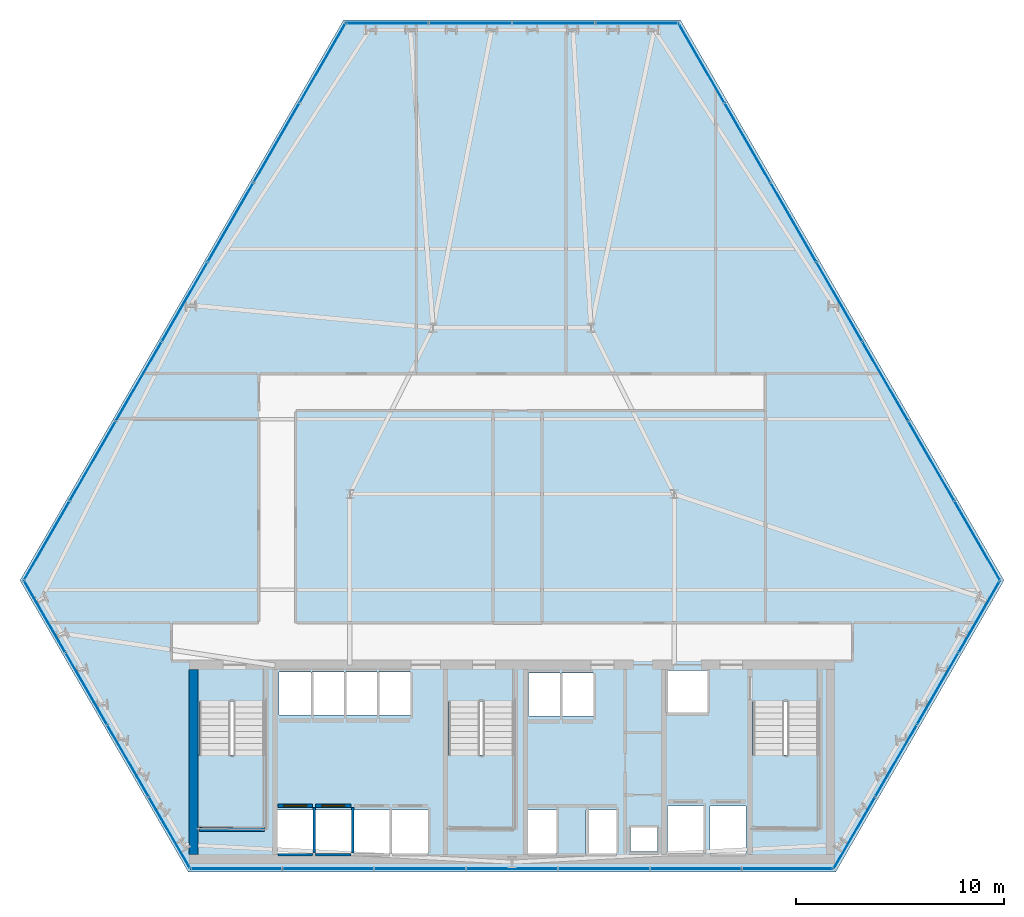
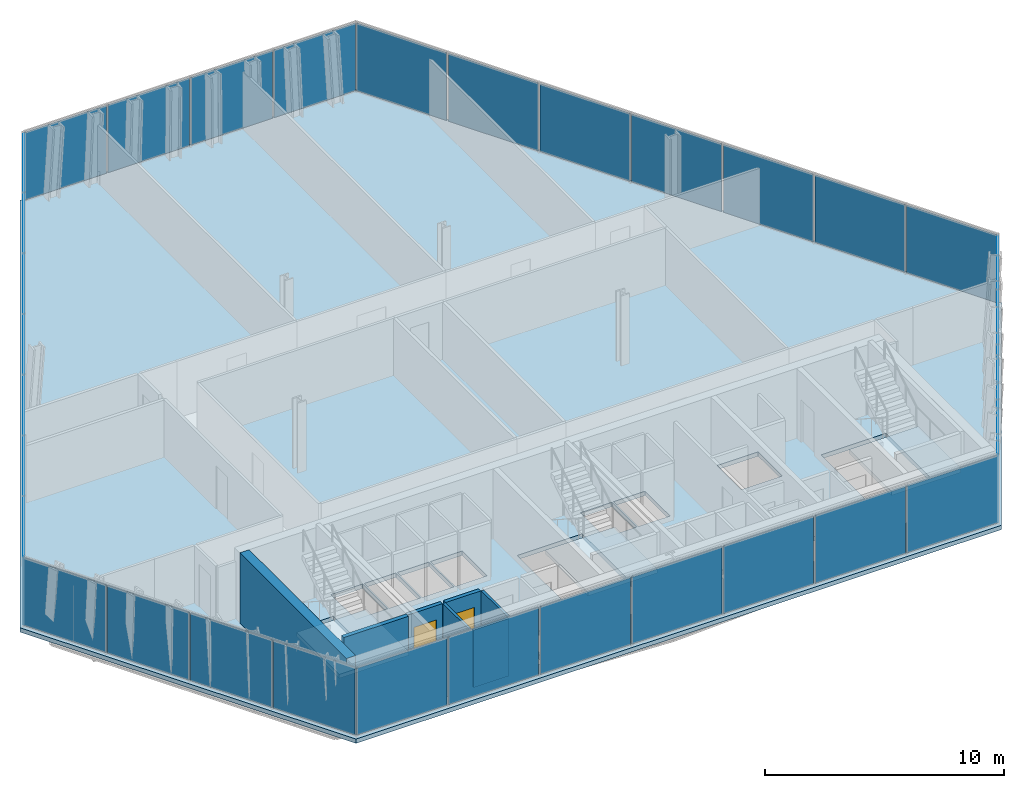
# One storey, part 26 of 32: 33 plates, 8 walls, 4 slabs, 2 doors, 2 openings, 9 elements without a shape of their own.
"""IFC4 building model written with IfcOpenShell, lengths in metres."""

from ifc_helpers import new_model, si_unit, direction, frame, frame_2d, origin, origin_2d, place, context, subcontext, project, spatial, polyline, rectangle, outline, extrude, material, layer, layer_set, type_object, element, fill, aggregate, save


model = new_model("IFC4")

# Units and contexts
model_context = context("Model", 3, precision=1e-05, world=origin(), true_north=direction((0.0, 1.0)))
body_context = subcontext(model_context, "Body", "Model", "MODEL_VIEW")
ifc_project = project(units=[si_unit("LENGTHUNIT", "METRE"), si_unit("AREAUNIT", "SQUARE_METRE"), si_unit("VOLUMEUNIT", "CUBIC_METRE"), si_unit("PLANEANGLEUNIT", "RADIAN"), si_unit("MASSUNIT", "GRAM", prefix="KILO")], contexts=[model_context])

# Site, building, storey
site_placement = place(None, origin())
site = spatial("IfcSite", under=ifc_project, at=site_placement, CompositionType="ELEMENT")
building_placement = place(site_placement, origin())
building = spatial("IfcBuilding", under=site, at=building_placement, Name="Ndaravel Arena Tower", CompositionType="ELEMENT")
storey_placement = place(building_placement, frame((0.0, 0.0, 55.0)))
storey = spatial("IfcBuildingStorey", under=building, at=storey_placement, Name="L11", CompositionType="ELEMENT", Elevation=55.0)

# Curtain wall, plate
ifc_material_1 = material(Name="Aluminium", Category="aluminium")
ifc_layer_1 = layer(ifc_material_1, 0.179931640625)
ifc_layer_set_1 = layer_set([ifc_layer_1], Name="Aluminium")
curtain_wall_type_1 = type_object("IfcCurtainWallType", Name="CW-SYS-01", PredefinedType="NOTDEFINED", material=ifc_layer_set_1)
curtain_wall_1_placement = place(storey_placement, origin())
curtain_wall_1 = element("IfcCurtainWall", 1, at=curtain_wall_1_placement, inside=storey, type_object=curtain_wall_type_1, Name="L11 Faceted Crystal Curtain Wall CW-L11-E02", PredefinedType="NOTDEFINED")
ifc_material_2 = material(Name="Glazing", Category="glass")
ifc_layer_2 = layer(ifc_material_2, 0.035888671875)
ifc_layer_set_2 = layer_set([ifc_layer_2], Name="Glazing")
plate_type_1 = type_object("IfcPlateType", Name="PLT-CW-OPVENT", PredefinedType="CURTAIN_PANEL", material=ifc_layer_set_2)
plate_1_placement = place(storey_placement, frame((60.48486328125, 10.36474609375, 0.06005859375), z_axis=(0.0, 0.0, 1.0), x_axis=(0.5, 0.866025403784, 0.0)))
plate_1 = element("IfcPlate", 2, at=plate_1_placement, type_object=plate_type_1, Name="CW-L11-E02 Operable Vent Sash Panel 02", PredefinedType="CURTAIN_PANEL", context=body_context, shape_type="SweptSolid", body=[
    extrude(rectangle(XDim=3.9267578125, YDim=0.035888671875, at=origin_2d()), origin(), (0.0, 0.0, 1.0), 3.4599609375),
])

curtain_wall_2_placement = place(storey_placement, origin())
curtain_wall_2 = element("IfcCurtainWall", 3, at=curtain_wall_2_placement, inside=storey, type_object=curtain_wall_type_1, Name="L11 Faceted Crystal Curtain Wall CW-L11-E04", PredefinedType="NOTDEFINED")
plate_2_placement = place(storey_placement, frame((44.00341796875, 45.851318359375, 0.06005859375), z_axis=(0.0, 0.0, 1.0), x_axis=(-1.0, 0.0, 0.0)))
plate_2 = element("IfcPlate", 4, at=plate_2_placement, type_object=plate_type_1, Name="CW-L11-E04 Operable Vent Sash Panel 02", PredefinedType="CURTAIN_PANEL", context=body_context, shape_type="SweptSolid", body=[
    extrude(rectangle(XDim=3.9267578125, YDim=0.035888671875, at=origin_2d()), origin(), (0.0, 0.0, 1.0), 3.4599609375),
])

ifc_material_3 = material(Name="Aluminium", Category="aluminium")
ifc_layer_3 = layer(ifc_material_3, 0.179931640625)
ifc_layer_set_3 = layer_set([ifc_layer_3], Name="Aluminium")
curtain_wall_type_2 = type_object("IfcCurtainWallType", Name="CW-SYS-02", PredefinedType="NOTDEFINED", material=ifc_layer_set_3)
curtain_wall_3_placement = place(storey_placement, origin())
curtain_wall_3 = element("IfcCurtainWall", 5, at=curtain_wall_3_placement, inside=storey, type_object=curtain_wall_type_2, Name="L11 Faceted Crystal Curtain Wall CW-L11-E06", PredefinedType="NOTDEFINED")
plate_3_placement = place(storey_placement, frame((21.51171875, 13.834716796875, 0.06005859375), z_axis=(0.0, 0.0, 1.0), x_axis=(0.5, -0.866025403784, 0.0)))
plate_3 = element("IfcPlate", 6, at=plate_3_placement, type_object=plate_type_1, Name="CW-L11-E06 Operable Vent Sash Panel 02", PredefinedType="CURTAIN_PANEL", context=body_context, shape_type="SweptSolid", body=[
    extrude(rectangle(XDim=3.9267578125, YDim=0.035888671875, at=origin_2d()), origin(), (0.0, 0.0, 1.0), 3.4599609375),
])

# Plate
ifc_material_4 = material(Name="Glazing", Category="glass")
ifc_layer_4 = layer(ifc_material_4, 0.031982421875)
ifc_layer_set_4 = layer_set([ifc_layer_4], Name="Glazing")
plate_type_2 = type_object("IfcPlateType", Name="PLT-GLZ-FRIT35", PredefinedType="CURTAIN_PANEL", material=ifc_layer_set_4)
plate_4_placement = place(storey_placement, frame((58.481689453125, 6.89501953125, 0.06005859375), z_axis=(0.0, 0.0, 1.0), x_axis=(0.5, 0.866025403784, 0.0)))
plate_4 = element("IfcPlate", 7, at=plate_4_placement, type_object=plate_type_2, Name="CW-L11-E02 Vision Glass Panel 01", PredefinedType="CURTAIN_PANEL", context=body_context, shape_type="SweptSolid", body=[
    extrude(rectangle(XDim=3.9267578125, YDim=0.035888671875, at=origin_2d()), origin(), (0.0, 0.0, 1.0), 3.4599609375),
])

plate_5_placement = place(storey_placement, frame((62.48828125, 13.834716796875, 0.06005859375), z_axis=(0.0, 0.0, 1.0), x_axis=(0.5, 0.866025403784, 0.0)))
plate_5 = element("IfcPlate", 8, at=plate_5_placement, type_object=plate_type_2, Name="CW-L11-E02 Vision Glass Panel 03", PredefinedType="CURTAIN_PANEL", context=body_context, shape_type="SweptSolid", body=[
    extrude(rectangle(XDim=3.9267578125, YDim=0.035888671875, at=origin_2d()), origin(), (0.0, 0.0, 1.0), 3.4599609375),
])

plate_6_placement = place(storey_placement, frame((64.491455078125, 17.3046875, 0.06005859375), z_axis=(0.0, 0.0, 1.0), x_axis=(0.5, 0.866025403784, 0.0)))
plate_6 = element("IfcPlate", 9, at=plate_6_placement, type_object=plate_type_2, Name="CW-L11-E02 Vision Glass Panel 04", PredefinedType="CURTAIN_PANEL", context=body_context, shape_type="SweptSolid", body=[
    extrude(rectangle(XDim=3.9267578125, YDim=0.035888671875, at=origin_2d()), origin(), (0.0, 0.0, 1.0), 3.4599609375),
])

aggregate(curtain_wall_1, [plate_4, plate_1, plate_5, plate_6])

plate_7_placement = place(storey_placement, frame((48.010009765625, 45.851318359375, 0.06005859375), z_axis=(0.0, 0.0, 1.0), x_axis=(-1.0, 0.0, 0.0)))
plate_7 = element("IfcPlate", 10, at=plate_7_placement, type_object=plate_type_2, Name="CW-L11-E04 Vision Glass Panel 01", PredefinedType="CURTAIN_PANEL", context=body_context, shape_type="SweptSolid", body=[
    extrude(rectangle(XDim=3.9267578125, YDim=0.035888671875, at=origin_2d()), origin(), (0.0, 0.0, 1.0), 3.4599609375),
])

plate_8_placement = place(storey_placement, frame((39.99658203125, 45.851318359375, 0.06005859375), z_axis=(0.0, 0.0, 1.0), x_axis=(-1.0, 0.0, 0.0)))
plate_8 = element("IfcPlate", 11, at=plate_8_placement, type_object=plate_type_2, Name="CW-L11-E04 Vision Glass Panel 03", PredefinedType="CURTAIN_PANEL", context=body_context, shape_type="SweptSolid", body=[
    extrude(rectangle(XDim=3.9267578125, YDim=0.035888671875, at=origin_2d()), origin(), (0.0, 0.0, 1.0), 3.4599609375),
])

plate_9_placement = place(storey_placement, frame((35.989990234375, 45.851318359375, 0.06005859375), z_axis=(0.0, 0.0, 1.0), x_axis=(-1.0, 0.0, 0.0)))
plate_9 = element("IfcPlate", 12, at=plate_9_placement, type_object=plate_type_2, Name="CW-L11-E04 Vision Glass Panel 04", PredefinedType="CURTAIN_PANEL", context=body_context, shape_type="SweptSolid", body=[
    extrude(rectangle(XDim=3.9267578125, YDim=0.035888671875, at=origin_2d()), origin(), (0.0, 0.0, 1.0), 3.4599609375),
])

aggregate(curtain_wall_2, [plate_7, plate_2, plate_8, plate_9])

ifc_material_5 = material(Name="Glazing", Category="glass")
ifc_layer_5 = layer(ifc_material_5, 0.035888671875)
ifc_layer_set_5 = layer_set([ifc_layer_5], Name="Glazing")
plate_type_3 = type_object("IfcPlateType", Name="PLT-GLZ-FRIT55", PredefinedType="CURTAIN_PANEL", material=ifc_layer_set_5)
plate_10_placement = place(storey_placement, frame((19.508544921875, 17.3046875, 0.06005859375), z_axis=(0.0, 0.0, 1.0), x_axis=(0.5, -0.866025403784, 0.0)))
plate_10 = element("IfcPlate", 13, at=plate_10_placement, type_object=plate_type_3, Name="CW-L11-E06 Vision Glass Panel 01", PredefinedType="CURTAIN_PANEL", context=body_context, shape_type="SweptSolid", body=[
    extrude(rectangle(XDim=3.9267578125, YDim=0.035888671875, at=origin_2d()), origin(), (0.0, 0.0, 1.0), 3.4599609375),
])

plate_11_placement = place(storey_placement, frame((23.51513671875, 10.36474609375, 0.06005859375), z_axis=(0.0, 0.0, 1.0), x_axis=(0.5, -0.866025403784, 0.0)))
plate_11 = element("IfcPlate", 14, at=plate_11_placement, type_object=plate_type_3, Name="CW-L11-E06 Vision Glass Panel 03", PredefinedType="CURTAIN_PANEL", context=body_context, shape_type="SweptSolid", body=[
    extrude(rectangle(XDim=3.9267578125, YDim=0.035888671875, at=origin_2d()), origin(), (0.0, 0.0, 1.0), 3.4599609375),
])

plate_12_placement = place(storey_placement, frame((25.518310546875, 6.89501953125, 0.06005859375), z_axis=(0.0, 0.0, 1.0), x_axis=(0.5, -0.866025403784, 0.0)))
plate_12 = element("IfcPlate", 15, at=plate_12_placement, type_object=plate_type_3, Name="CW-L11-E06 Vision Glass Panel 04", PredefinedType="CURTAIN_PANEL", context=body_context, shape_type="SweptSolid", body=[
    extrude(rectangle(XDim=3.9267578125, YDim=0.035888671875, at=origin_2d()), origin(), (0.0, 0.0, 1.0), 3.4599609375),
])

aggregate(curtain_wall_3, [plate_10, plate_3, plate_11, plate_12])

# Curtain wall, plates
ifc_material_6 = material(Name="Aluminium", Category="aluminium")
ifc_layer_6 = layer(ifc_material_6, 0.179931640625)
ifc_layer_set_6 = layer_set([ifc_layer_6], Name="Aluminium")
curtain_wall_type_3 = type_object("IfcCurtainWallType", Name="CW-SYS-03", PredefinedType="NOTDEFINED", material=ifc_layer_set_6)
curtain_wall_4_placement = place(storey_placement, origin())
curtain_wall_4 = element("IfcCurtainWall", 16, at=curtain_wall_4_placement, inside=storey, type_object=curtain_wall_type_3, Name="L11 Faceted Crystal Curtain Wall CW-L11-E01", PredefinedType="NOTDEFINED")
ifc_material_7 = material(Name="Glazing", Category="glass")
ifc_layer_7 = layer(ifc_material_7, 0.0400390625)
ifc_layer_set_7 = layer_set([ifc_layer_7], Name="Glazing")
plate_type_4 = type_object("IfcPlateType", Name="PLT-GLZ-LOWIRON", PredefinedType="CURTAIN_PANEL", material=ifc_layer_set_7)
plate_13_placement = place(storey_placement, frame((28.7314453125, 5.159912109375, 0.06005859375), z_axis=(0.0, 0.0, 1.0), x_axis=(1.0, 0.0, 0.0)))
plate_13 = element("IfcPlate", 17, at=plate_13_placement, type_object=plate_type_4, Name="CW-L11-E01 Vision Glass Panel 01", PredefinedType="CURTAIN_PANEL", context=body_context, shape_type="SweptSolid", body=[
    extrude(rectangle(XDim=4.3427734375, YDim=0.035888671875, at=origin_2d()), origin(), (0.0, 0.0, 1.0), 3.4599609375),
])
plate_14_placement = place(storey_placement, frame((33.154296875, 5.159912109375, 0.06005859375), z_axis=(0.0, 0.0, 1.0), x_axis=(1.0, 0.0, 0.0)))
plate_14 = element("IfcPlate", 18, at=plate_14_placement, type_object=plate_type_4, Name="CW-L11-E01 Vision Glass Panel 02", PredefinedType="CURTAIN_PANEL", context=body_context, shape_type="SweptSolid", body=[
    extrude(rectangle(XDim=4.3427734375, YDim=0.035888671875, at=origin_2d()), origin(), (0.0, 0.0, 1.0), 3.4599609375),
])
plate_15_placement = place(storey_placement, frame((37.5771484375, 5.159912109375, 0.06005859375), z_axis=(0.0, 0.0, 1.0), x_axis=(1.0, 0.0, 0.0)))
plate_15 = element("IfcPlate", 19, at=plate_15_placement, type_object=plate_type_4, Name="CW-L11-E01 Vision Glass Panel 03", PredefinedType="CURTAIN_PANEL", context=body_context, shape_type="SweptSolid", body=[
    extrude(rectangle(XDim=4.3427734375, YDim=0.035888671875, at=origin_2d()), origin(), (0.0, 0.0, 1.0), 3.4599609375),
])
plate_16_placement = place(storey_placement, frame((42.0, 5.159912109375, 0.06005859375), z_axis=(0.0, 0.0, 1.0), x_axis=(1.0, 0.0, 0.0)))
plate_16 = element("IfcPlate", 20, at=plate_16_placement, type_object=plate_type_4, Name="CW-L11-E01 Vision Glass Panel 04", PredefinedType="CURTAIN_PANEL", context=body_context, shape_type="SweptSolid", body=[
    extrude(rectangle(XDim=4.3427734375, YDim=0.035888671875, at=origin_2d()), origin(), (0.0, 0.0, 1.0), 3.4599609375),
])
plate_17_placement = place(storey_placement, frame((46.4228515625, 5.159912109375, 0.06005859375), z_axis=(0.0, 0.0, 1.0), x_axis=(1.0, 0.0, 0.0)))
plate_17 = element("IfcPlate", 21, at=plate_17_placement, type_object=plate_type_4, Name="CW-L11-E01 Vision Glass Panel 05", PredefinedType="CURTAIN_PANEL", context=body_context, shape_type="SweptSolid", body=[
    extrude(rectangle(XDim=4.3427734375, YDim=0.035888671875, at=origin_2d()), origin(), (0.0, 0.0, 1.0), 3.4599609375),
])
plate_18_placement = place(storey_placement, frame((50.845703125, 5.159912109375, 0.06005859375), z_axis=(0.0, 0.0, 1.0), x_axis=(1.0, 0.0, 0.0)))
plate_18 = element("IfcPlate", 22, at=plate_18_placement, type_object=plate_type_4, Name="CW-L11-E01 Vision Glass Panel 06", PredefinedType="CURTAIN_PANEL", context=body_context, shape_type="SweptSolid", body=[
    extrude(rectangle(XDim=4.3427734375, YDim=0.035888671875, at=origin_2d()), origin(), (0.0, 0.0, 1.0), 3.4599609375),
])
plate_19_placement = place(storey_placement, frame((55.2685546875, 5.159912109375, 0.06005859375), z_axis=(0.0, 0.0, 1.0), x_axis=(1.0, 0.0, 0.0)))
plate_19 = element("IfcPlate", 23, at=plate_19_placement, type_object=plate_type_4, Name="CW-L11-E01 Vision Glass Panel 07", PredefinedType="CURTAIN_PANEL", context=body_context, shape_type="SweptSolid", body=[
    extrude(rectangle(XDim=4.3427734375, YDim=0.035888671875, at=origin_2d()), origin(), (0.0, 0.0, 1.0), 3.4599609375),
])
aggregate(curtain_wall_4, [plate_13, plate_14, plate_15, plate_16, plate_17, plate_18, plate_19])

curtain_wall_5_placement = place(storey_placement, origin())
curtain_wall_5 = element("IfcCurtainWall", 24, at=curtain_wall_5_placement, inside=storey, type_object=curtain_wall_type_3, Name="L11 Faceted Crystal Curtain Wall CW-L11-E03", PredefinedType="NOTDEFINED")
plate_20_placement = place(storey_placement, frame((64.387451171875, 20.95458984375, 0.06005859375), z_axis=(0.0, 0.0, 1.0), x_axis=(-0.5, 0.866025403784, 0.0)))
plate_20 = element("IfcPlate", 25, at=plate_20_placement, type_object=plate_type_4, Name="CW-L11-E03 Vision Glass Panel 01", PredefinedType="CURTAIN_PANEL", context=body_context, shape_type="SweptSolid", body=[
    extrude(rectangle(XDim=4.3427734375, YDim=0.035888671875, at=origin_2d()), origin(), (0.0, 0.0, 1.0), 3.4599609375),
])
plate_21_placement = place(storey_placement, frame((62.176025390625, 24.784912109375, 0.06005859375), z_axis=(0.0, 0.0, 1.0), x_axis=(-0.5, 0.866025403784, 0.0)))
plate_21 = element("IfcPlate", 26, at=plate_21_placement, type_object=plate_type_4, Name="CW-L11-E03 Vision Glass Panel 02", PredefinedType="CURTAIN_PANEL", context=body_context, shape_type="SweptSolid", body=[
    extrude(rectangle(XDim=4.3427734375, YDim=0.035888671875, at=origin_2d()), origin(), (0.0, 0.0, 1.0), 3.4599609375),
])
plate_22_placement = place(storey_placement, frame((59.964599609375, 28.615234375, 0.06005859375), z_axis=(0.0, 0.0, 1.0), x_axis=(-0.5, 0.866025403784, 0.0)))
plate_22 = element("IfcPlate", 27, at=plate_22_placement, type_object=plate_type_4, Name="CW-L11-E03 Vision Glass Panel 03", PredefinedType="CURTAIN_PANEL", context=body_context, shape_type="SweptSolid", body=[
    extrude(rectangle(XDim=4.3427734375, YDim=0.035888671875, at=origin_2d()), origin(), (0.0, 0.0, 1.0), 3.4599609375),
])
plate_23_placement = place(storey_placement, frame((57.75341796875, 32.445556640625, 0.06005859375), z_axis=(0.0, 0.0, 1.0), x_axis=(-0.5, 0.866025403784, 0.0)))
plate_23 = element("IfcPlate", 28, at=plate_23_placement, type_object=plate_type_4, Name="CW-L11-E03 Vision Glass Panel 04", PredefinedType="CURTAIN_PANEL", context=body_context, shape_type="SweptSolid", body=[
    extrude(rectangle(XDim=4.3427734375, YDim=0.035888671875, at=origin_2d()), origin(), (0.0, 0.0, 1.0), 3.4599609375),
])
plate_24_placement = place(storey_placement, frame((55.541748046875, 36.275634765625, 0.06005859375), z_axis=(0.0, 0.0, 1.0), x_axis=(-0.5, 0.866025403784, 0.0)))
plate_24 = element("IfcPlate", 29, at=plate_24_placement, type_object=plate_type_4, Name="CW-L11-E03 Vision Glass Panel 05", PredefinedType="CURTAIN_PANEL", context=body_context, shape_type="SweptSolid", body=[
    extrude(rectangle(XDim=4.3427734375, YDim=0.035888671875, at=origin_2d()), origin(), (0.0, 0.0, 1.0), 3.4599609375),
])
plate_25_placement = place(storey_placement, frame((53.330322265625, 40.10595703125, 0.06005859375), z_axis=(0.0, 0.0, 1.0), x_axis=(-0.5, 0.866025403784, 0.0)))
plate_25 = element("IfcPlate", 30, at=plate_25_placement, type_object=plate_type_4, Name="CW-L11-E03 Vision Glass Panel 06", PredefinedType="CURTAIN_PANEL", context=body_context, shape_type="SweptSolid", body=[
    extrude(rectangle(XDim=4.3427734375, YDim=0.035888671875, at=origin_2d()), origin(), (0.0, 0.0, 1.0), 3.4599609375),
])
plate_26_placement = place(storey_placement, frame((51.118896484375, 43.936279296875, 0.06005859375), z_axis=(0.0, 0.0, 1.0), x_axis=(-0.5, 0.866025403784, 0.0)))
plate_26 = element("IfcPlate", 31, at=plate_26_placement, type_object=plate_type_4, Name="CW-L11-E03 Vision Glass Panel 07", PredefinedType="CURTAIN_PANEL", context=body_context, shape_type="SweptSolid", body=[
    extrude(rectangle(XDim=4.3427734375, YDim=0.035888671875, at=origin_2d()), origin(), (0.0, 0.0, 1.0), 3.4599609375),
])
aggregate(curtain_wall_5, [plate_20, plate_21, plate_22, plate_23, plate_24, plate_25, plate_26])

curtain_wall_6_placement = place(storey_placement, origin())
curtain_wall_6 = element("IfcCurtainWall", 32, at=curtain_wall_6_placement, inside=storey, type_object=curtain_wall_type_3, Name="L11 Faceted Crystal Curtain Wall CW-L11-E05", PredefinedType="NOTDEFINED")
plate_27_placement = place(storey_placement, frame((32.881103515625, 43.936279296875, 0.06005859375), z_axis=(0.0, 0.0, 1.0), x_axis=(-0.5, -0.866025403784, 0.0)))
plate_27 = element("IfcPlate", 33, at=plate_27_placement, type_object=plate_type_4, Name="CW-L11-E05 Vision Glass Panel 01", PredefinedType="CURTAIN_PANEL", context=body_context, shape_type="SweptSolid", body=[
    extrude(rectangle(XDim=4.3427734375, YDim=0.035888671875, at=origin_2d()), origin(), (0.0, 0.0, 1.0), 3.4599609375),
])
plate_28_placement = place(storey_placement, frame((30.669677734375, 40.10595703125, 0.06005859375), z_axis=(0.0, 0.0, 1.0), x_axis=(-0.5, -0.866025403784, 0.0)))
plate_28 = element("IfcPlate", 34, at=plate_28_placement, type_object=plate_type_4, Name="CW-L11-E05 Vision Glass Panel 02", PredefinedType="CURTAIN_PANEL", context=body_context, shape_type="SweptSolid", body=[
    extrude(rectangle(XDim=4.3427734375, YDim=0.035888671875, at=origin_2d()), origin(), (0.0, 0.0, 1.0), 3.4599609375),
])
plate_29_placement = place(storey_placement, frame((28.458251953125, 36.275634765625, 0.06005859375), z_axis=(0.0, 0.0, 1.0), x_axis=(-0.5, -0.866025403784, 0.0)))
plate_29 = element("IfcPlate", 35, at=plate_29_placement, type_object=plate_type_4, Name="CW-L11-E05 Vision Glass Panel 03", PredefinedType="CURTAIN_PANEL", context=body_context, shape_type="SweptSolid", body=[
    extrude(rectangle(XDim=4.3427734375, YDim=0.035888671875, at=origin_2d()), origin(), (0.0, 0.0, 1.0), 3.4599609375),
])
plate_30_placement = place(storey_placement, frame((26.24658203125, 32.445556640625, 0.06005859375), z_axis=(0.0, 0.0, 1.0), x_axis=(-0.5, -0.866025403784, 0.0)))
plate_30 = element("IfcPlate", 36, at=plate_30_placement, type_object=plate_type_4, Name="CW-L11-E05 Vision Glass Panel 04", PredefinedType="CURTAIN_PANEL", context=body_context, shape_type="SweptSolid", body=[
    extrude(rectangle(XDim=4.3427734375, YDim=0.035888671875, at=origin_2d()), origin(), (0.0, 0.0, 1.0), 3.4599609375),
])
plate_31_placement = place(storey_placement, frame((24.035400390625, 28.615234375, 0.06005859375), z_axis=(0.0, 0.0, 1.0), x_axis=(-0.5, -0.866025403784, 0.0)))
plate_31 = element("IfcPlate", 37, at=plate_31_placement, type_object=plate_type_4, Name="CW-L11-E05 Vision Glass Panel 05", PredefinedType="CURTAIN_PANEL", context=body_context, shape_type="SweptSolid", body=[
    extrude(rectangle(XDim=4.3427734375, YDim=0.035888671875, at=origin_2d()), origin(), (0.0, 0.0, 1.0), 3.4599609375),
])
plate_32_placement = place(storey_placement, frame((21.823974609375, 24.784912109375, 0.06005859375), z_axis=(0.0, 0.0, 1.0), x_axis=(-0.5, -0.866025403784, 0.0)))
plate_32 = element("IfcPlate", 38, at=plate_32_placement, type_object=plate_type_4, Name="CW-L11-E05 Vision Glass Panel 06", PredefinedType="CURTAIN_PANEL", context=body_context, shape_type="SweptSolid", body=[
    extrude(rectangle(XDim=4.3427734375, YDim=0.035888671875, at=origin_2d()), origin(), (0.0, 0.0, 1.0), 3.4599609375),
])
plate_33_placement = place(storey_placement, frame((19.612548828125, 20.95458984375, 0.06005859375), z_axis=(0.0, 0.0, 1.0), x_axis=(-0.5, -0.866025403784, 0.0)))
plate_33 = element("IfcPlate", 39, at=plate_33_placement, type_object=plate_type_4, Name="CW-L11-E05 Vision Glass Panel 07", PredefinedType="CURTAIN_PANEL", context=body_context, shape_type="SweptSolid", body=[
    extrude(rectangle(XDim=4.3427734375, YDim=0.035888671875, at=origin_2d()), origin(), (0.0, 0.0, 1.0), 3.4599609375),
])
aggregate(curtain_wall_6, [plate_27, plate_28, plate_29, plate_30, plate_31, plate_32, plate_33])

# Stair, slab
ifc_material_8 = material(Name="Concrete C40/50", Category="concrete")
stair_type = type_object("IfcStairType", Name="STAIR-CORE-HT", PredefinedType="HALF_TURN_STAIR", material=ifc_material_8)
stair_1_placement = place(storey_placement, origin())
stair_1 = element("IfcStair", 40, at=stair_1_placement, inside=storey, type_object=stair_type, Name="L11 ST-1", PredefinedType="HALF_TURN_STAIR")
ifc_material_9 = material(Name="Concrete C40/50", Category="concrete")
ifc_layer_8 = layer(ifc_material_9, 0.199951171875)
ifc_layer_set_8 = layer_set([ifc_layer_8], Name="Concrete C40/50")
slab_type_1 = type_object("IfcSlabType", Name="SLAB-STAIR-LANDING", PredefinedType="LANDING", material=ifc_layer_set_8)
slab_1_placement = place(storey_placement, frame((0.0, 0.0, 1.699951171875)))
slab_1 = element("IfcSlab", 41, at=slab_1_placement, type_object=slab_type_1, Name="ST-1 landing 1", PredefinedType="LANDING", context=body_context, shape_type="SweptSolid", body=[
    extrude(outline(polyline([(26.81005859375, 10.6298828125), (26.81005859375, 7.070068359375), (30.169921875, 7.070068359375), (30.169921875, 10.6298828125), (26.81005859375, 10.6298828125)])), origin(), (0.0, 0.0, 1.0), 0.199951171875),
])
aggregate(stair_1, [slab_1])

stair_2_placement = place(storey_placement, origin())
stair_2 = element("IfcStair", 42, at=stair_2_placement, inside=storey, type_object=stair_type, Name="L11 ST-2", PredefinedType="HALF_TURN_STAIR")
slab_2_placement = place(storey_placement, frame((0.0, 0.0, 1.699951171875)))
slab_2 = element("IfcSlab", 43, at=slab_2_placement, type_object=slab_type_1, Name="ST-2 landing 1", PredefinedType="LANDING", context=body_context, shape_type="SweptSolid", body=[
    extrude(outline(polyline([(38.81005859375, 10.6298828125), (38.81005859375, 7.070068359375), (42.169921875, 7.070068359375), (42.169921875, 10.6298828125), (38.81005859375, 10.6298828125)])), origin(), (0.0, 0.0, 1.0), 0.199951171875),
])
aggregate(stair_2, [slab_2])

stair_3_placement = place(storey_placement, origin())
stair_3 = element("IfcStair", 44, at=stair_3_placement, inside=storey, type_object=stair_type, Name="L11 ST-3", PredefinedType="HALF_TURN_STAIR")
slab_3_placement = place(storey_placement, frame((0.0, 0.0, 1.699951171875)))
slab_3 = element("IfcSlab", 45, at=slab_3_placement, type_object=slab_type_1, Name="ST-3 landing 1", PredefinedType="LANDING", context=body_context, shape_type="SweptSolid", body=[
    extrude(outline(polyline([(53.4599609375, 10.6298828125), (53.4599609375, 7.070068359375), (56.820068359375, 7.070068359375), (56.820068359375, 10.6298828125), (53.4599609375, 10.6298828125)])), origin(), (0.0, 0.0, 1.0), 0.199951171875),
])
aggregate(stair_3, [slab_3])

# Slab
ifc_material_10 = material(Name="Concrete C40/50", Category="concrete")
ifc_layer_9 = layer(ifc_material_10, 0.219970703125)
ifc_layer_set_9 = layer_set([ifc_layer_9], Name="Concrete C40/50")
slab_type_2 = type_object("IfcSlabType", Name="SLAB-TWR-220", PredefinedType="FLOOR", material=ifc_layer_set_9)
slab_4_placement = place(storey_placement, frame((0.0, 0.0, -0.219970703125)))
element("IfcSlab", 46, at=slab_4_placement, inside=storey, type_object=slab_type_2, Name="L11 Structural Floor Slab", PredefinedType="FLOOR", context=body_context, shape_type="SweptSolid", body=[
    extrude(outline(polyline([(18.322021484375, 19.03955078125), (26.427734375, 5.0), (57.572265625, 5.0), (65.677978515625, 19.03955078125), (50.105712890625, 46.011474609375), (33.894287109375, 46.011474609375), (18.322021484375, 19.03955078125)]), holes=[polyline([(26.949951171875, 13.215087890625), (26.949951171875, 7.14990234375), (30.090087890625, 7.14990234375), (30.090087890625, 13.215087890625), (26.949951171875, 13.215087890625)]), polyline([(38.949951171875, 13.215087890625), (38.949951171875, 7.14990234375), (42.090087890625, 7.14990234375), (42.090087890625, 13.215087890625), (38.949951171875, 13.215087890625)]), polyline([(53.60009765625, 13.215087890625), (53.60009765625, 7.14990234375), (56.739990234375, 7.14990234375), (56.739990234375, 13.215087890625), (53.60009765625, 13.215087890625)]), polyline([(30.68505859375, 5.909912109375), (32.4150390625, 5.909912109375), (32.4150390625, 7.989990234375), (30.68505859375, 7.989990234375), (30.68505859375, 5.909912109375)]), polyline([(32.534912109375, 5.909912109375), (34.264892578125, 5.909912109375), (34.264892578125, 7.989990234375), (32.534912109375, 7.989990234375), (32.534912109375, 5.909912109375)]), polyline([(34.385009765625, 5.909912109375), (36.114990234375, 5.909912109375), (36.114990234375, 7.989990234375), (34.385009765625, 7.989990234375), (34.385009765625, 5.909912109375)]), polyline([(36.235107421875, 5.909912109375), (37.965087890625, 5.909912109375), (37.965087890625, 7.989990234375), (36.235107421875, 7.989990234375), (36.235107421875, 5.909912109375)]), polyline([(30.784912109375, 12.56005859375), (32.31494140625, 12.56005859375), (32.31494140625, 14.639892578125), (30.784912109375, 14.639892578125), (30.784912109375, 12.56005859375)]), polyline([(32.385009765625, 12.56005859375), (33.9150390625, 12.56005859375), (33.9150390625, 14.639892578125), (32.385009765625, 14.639892578125), (32.385009765625, 12.56005859375)]), polyline([(33.985107421875, 12.56005859375), (35.514892578125, 12.56005859375), (35.514892578125, 14.639892578125), (33.985107421875, 14.639892578125), (33.985107421875, 12.56005859375)]), polyline([(35.5849609375, 12.56005859375), (37.114990234375, 12.56005859375), (37.114990234375, 14.639892578125), (35.5849609375, 14.639892578125), (35.5849609375, 12.56005859375)]), polyline([(42.659912109375, 5.909912109375), (44.139892578125, 5.909912109375), (44.139892578125, 7.989990234375), (42.659912109375, 7.989990234375), (42.659912109375, 5.909912109375)]), polyline([(45.56005859375, 5.909912109375), (47.0400390625, 5.909912109375), (47.0400390625, 7.989990234375), (45.56005859375, 7.989990234375), (45.56005859375, 5.909912109375)]), polyline([(42.784912109375, 12.510009765625), (44.31494140625, 12.510009765625), (44.31494140625, 14.590087890625), (42.784912109375, 14.590087890625), (42.784912109375, 12.510009765625)]), polyline([(44.385009765625, 12.510009765625), (45.9150390625, 12.510009765625), (45.9150390625, 14.590087890625), (44.385009765625, 14.590087890625), (44.385009765625, 12.510009765625)]), polyline([(49.485107421875, 5.909912109375), (51.215087890625, 5.909912109375), (51.215087890625, 8.18994140625), (49.485107421875, 8.18994140625), (49.485107421875, 5.909912109375)]), polyline([(51.534912109375, 5.909912109375), (53.264892578125, 5.909912109375), (53.264892578125, 8.18994140625), (51.534912109375, 8.18994140625), (51.534912109375, 5.909912109375)]), polyline([(49.4599609375, 12.68505859375), (51.43994140625, 12.68505859375), (51.43994140625, 14.715087890625), (49.4599609375, 14.715087890625), (49.4599609375, 12.68505859375)]), polyline([(47.699951171875, 6.0), (49.0, 6.0), (49.0, 7.139892578125), (47.699951171875, 7.139892578125), (47.699951171875, 6.0)])]), origin(), (0.0, 0.0, 1.0), 0.219970703125),
])

# Walls
ifc_material_11 = material(Name="Concrete C60/75", Category="concrete")
ifc_layer_10 = layer(ifc_material_11, 0.449951171875)
ifc_layer_set_10 = layer_set([ifc_layer_10], Name="Concrete C60/75")
wall_type_1 = type_object("IfcWallType", Name="WALL-CORE-450", PredefinedType="SOLIDWALL", material=ifc_layer_set_10)
wall_1_placement = place(storey_placement, frame((26.675048828125, 5.85009765625, 0.0), z_axis=(0.0, 0.0, 1.0), x_axis=(0.0, 1.0, 0.0)))
element("IfcWall", 47, at=wall_1_placement, inside=storey, type_object=wall_type_1, Name="L11 Core West Shear Wall", PredefinedType="SOLIDWALL", context=body_context, shape_type="SweptSolid", body=[
    extrude(rectangle(XDim=8.89990234375, YDim=0.449951171875, at=frame_2d((4.449951171875, 0.0))), origin(), (0.0, 0.0, 1.0), 3.580078125),
])
ifc_material_12 = material(Name="Concrete C40/50", Category="concrete")
ifc_layer_11 = layer(ifc_material_12, 0.1201171875)
ifc_layer_set_11 = layer_set([ifc_layer_11], Name="Concrete C40/50")
wall_type_2 = type_object("IfcWallType", Name="WALL-SHAFT-120", PredefinedType="SOLIDWALL", material=ifc_layer_set_11)
wall_2_placement = place(storey_placement, frame((30.72998046875, 5.840087890625, 0.0), z_axis=(0.0, 0.0, 1.0), x_axis=(1.0, 0.0, 0.0)))
element("IfcWall", 48, at=wall_2_placement, inside=storey, type_object=wall_type_2, Name="L11 PL-L1 Shaft Rear Wall", PredefinedType="SOLIDWALL", context=body_context, shape_type="SweptSolid", body=[
    extrude(rectangle(XDim=1.6650390625, YDim=0.1201171875, at=frame_2d((0.83251953125, 0.0))), origin(), (0.0, 0.0, 1.0), 2.932861328125),
])
wall_3_placement = place(storey_placement, frame((32.47509765625, 5.929931640625, 0.0), z_axis=(0.0, 0.0, 1.0), x_axis=(0.0, 1.0, 0.0)))
element("IfcWall", 49, at=wall_3_placement, inside=storey, type_object=wall_type_2, Name="L11 PL-L1 Shaft Side R Wall", PredefinedType="SOLIDWALL", context=body_context, shape_type="SweptSolid", body=[
    extrude(rectangle(XDim=2.18017578125, YDim=0.1201171875, at=frame_2d((1.090087890625, 0.0))), origin(), (0.0, 0.0, 1.0), 2.932861328125),
])
wall_4_placement = place(storey_placement, frame((32.554931640625, 5.840087890625, 0.0), z_axis=(0.0, 0.0, 1.0), x_axis=(1.0, 0.0, 0.0)))
element("IfcWall", 50, at=wall_4_placement, inside=storey, type_object=wall_type_2, Name="L11 PL-L2 Shaft Rear Wall", PredefinedType="SOLIDWALL", context=body_context, shape_type="SweptSolid", body=[
    extrude(rectangle(XDim=1.690185546875, YDim=0.1201171875, at=frame_2d((0.84521484375, 0.0))), origin(), (0.0, 0.0, 1.0), 2.932861328125),
])
wall_5_placement = place(storey_placement, frame((34.324951171875, 5.929931640625, 0.0), z_axis=(0.0, 0.0, 1.0), x_axis=(0.0, 1.0, 0.0)))
element("IfcWall", 51, at=wall_5_placement, inside=storey, type_object=wall_type_2, Name="L11 PL-L2 Shaft Side R Wall", PredefinedType="SOLIDWALL", context=body_context, shape_type="SweptSolid", body=[
    extrude(rectangle(XDim=2.18017578125, YDim=0.1201171875, at=frame_2d((1.090087890625, 0.0))), origin(), (0.0, 0.0, 1.0), 2.932861328125),
])
ifc_material_13 = material(Name="Concrete C40/50", Category="concrete")
ifc_layer_12 = layer(ifc_material_13, 0.199951171875)
ifc_layer_set_12 = layer_set([ifc_layer_12], Name="Concrete C40/50")
wall_type_3 = type_object("IfcWallType", Name="WALL-SHAFT-200", PredefinedType="SOLIDWALL", material=ifc_layer_set_12)
wall_6_placement = place(storey_placement, frame((26.969970703125, 7.050048828125, 0.0), z_axis=(0.0, 0.0, 1.0), x_axis=(1.0, 0.0, 0.0)))
element("IfcWall", 52, at=wall_6_placement, inside=storey, type_object=wall_type_3, Name="L11 ST-1 Structural Shaft Wall Far", PredefinedType="SOLIDWALL", context=body_context, shape_type="SweptSolid", body=[
    extrude(rectangle(XDim=3.114990234375, YDim=0.199951171875, at=frame_2d((1.5576171875, 0.0))), origin(), (0.0, 0.0, 1.0), 3.800048828125),
])

# Wall, opening, door
wall_7_placement = place(storey_placement, frame((30.72998046875, 8.199951171875, 0.0), z_axis=(0.0, 0.0, 1.0), x_axis=(1.0, 0.0, 0.0)))
wall_7 = element("IfcWall", 53, at=wall_7_placement, inside=storey, type_object=wall_type_3, Name="L11 PL-L1 Shaft Landing Wall", PredefinedType="SOLIDWALL", context=body_context, shape_type="SweptSolid", body=[
    extrude(rectangle(XDim=1.6650390625, YDim=0.179931640625, at=frame_2d((0.83251953125, 0.0))), origin(), (0.0, 0.0, 1.0), 2.932861328125),
])
opening_1_placement = place(wall_7_placement, frame((0.282470703125, 0.0, 0.0)))
opening_1 = element("IfcOpeningElement", 54, at=opening_1_placement, cuts=wall_7, Name="Opening LD-01", PredefinedType="OPENING", context=body_context, shape_type="SweptSolid", body=[
    extrude(rectangle(XDim=1.10009765625, YDim=2.199951171875, at=frame_2d((0.550048828125, 1.10009765625))), frame((0.0, 0.08984375, 0.0), z_axis=(0.0, -1.0, 0.0), x_axis=(1.0, 0.0, 0.0)), (0.0, 0.0, 1.0), 0.179931640625),
])
ifc_material_14 = material(Name="Steel S355", Category="steel")
door_type = type_object("IfcDoorType", Name="DT-06-LIFT-1100", OperationType="SLIDING_TO_LEFT", PredefinedType="DOOR", material=ifc_material_14)
door_1_placement = place(opening_1_placement, origin())
door_1 = element("IfcDoor", 55, at=door_1_placement, inside=storey, type_object=door_type, Name="L11 Lift PL-L1 Sliding Landing Door", OperationType="SLIDING_TO_LEFT", OverallHeight=2.199951171875, OverallWidth=1.10009765625, PredefinedType="DOOR", context=body_context, shape_type="SweptSolid", body=[
    extrude(rectangle(XDim=1.10009765625, YDim=2.199951171875, at=frame_2d((0.550048828125, 1.10009765625))), frame((0.0, 0.02490234375, 0.0), z_axis=(0.0, -1.0, 0.0), x_axis=(1.0, 0.0, 0.0)), (0.0, 0.0, 1.0), 0.050048828125),
])
fill(opening_1, door_1)

wall_8_placement = place(storey_placement, frame((32.554931640625, 8.199951171875, 0.0), z_axis=(0.0, 0.0, 1.0), x_axis=(1.0, 0.0, 0.0)))
wall_8 = element("IfcWall", 56, at=wall_8_placement, inside=storey, type_object=wall_type_3, Name="L11 PL-L2 Shaft Landing Wall", PredefinedType="SOLIDWALL", context=body_context, shape_type="SweptSolid", body=[
    extrude(rectangle(XDim=1.690185546875, YDim=0.179931640625, at=frame_2d((0.84521484375, 0.0))), origin(), (0.0, 0.0, 1.0), 2.932861328125),
])
opening_2_placement = place(wall_8_placement, frame((0.294921875, 0.0, 0.0)))
opening_2 = element("IfcOpeningElement", 57, at=opening_2_placement, cuts=wall_8, Name="Opening LD-01", PredefinedType="OPENING", context=body_context, shape_type="SweptSolid", body=[
    extrude(rectangle(XDim=1.10009765625, YDim=2.199951171875, at=frame_2d((0.550048828125, 1.10009765625))), frame((0.0, 0.08984375, 0.0), z_axis=(0.0, -1.0, 0.0), x_axis=(1.0, 0.0, 0.0)), (0.0, 0.0, 1.0), 0.179931640625),
])
door_2_placement = place(opening_2_placement, origin())
door_2 = element("IfcDoor", 58, at=door_2_placement, inside=storey, type_object=door_type, Name="L11 Lift PL-L2 Sliding Landing Door", OperationType="SLIDING_TO_LEFT", OverallHeight=2.199951171875, OverallWidth=1.10009765625, PredefinedType="DOOR", context=body_context, shape_type="SweptSolid", body=[
    extrude(rectangle(XDim=1.10009765625, YDim=2.199951171875, at=frame_2d((0.550048828125, 1.10009765625))), frame((0.0, 0.02490234375, 0.0), z_axis=(0.0, -1.0, 0.0), x_axis=(1.0, 0.0, 0.0)), (0.0, 0.0, 1.0), 0.050048828125),
])
fill(opening_2, door_2)

save(model, "model.ifc")
